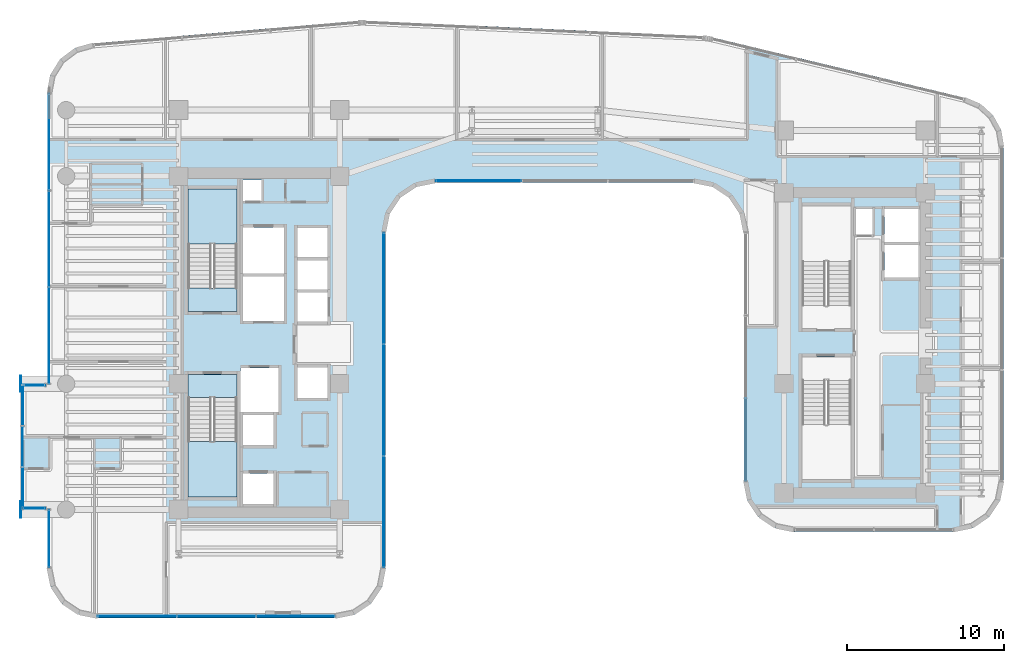
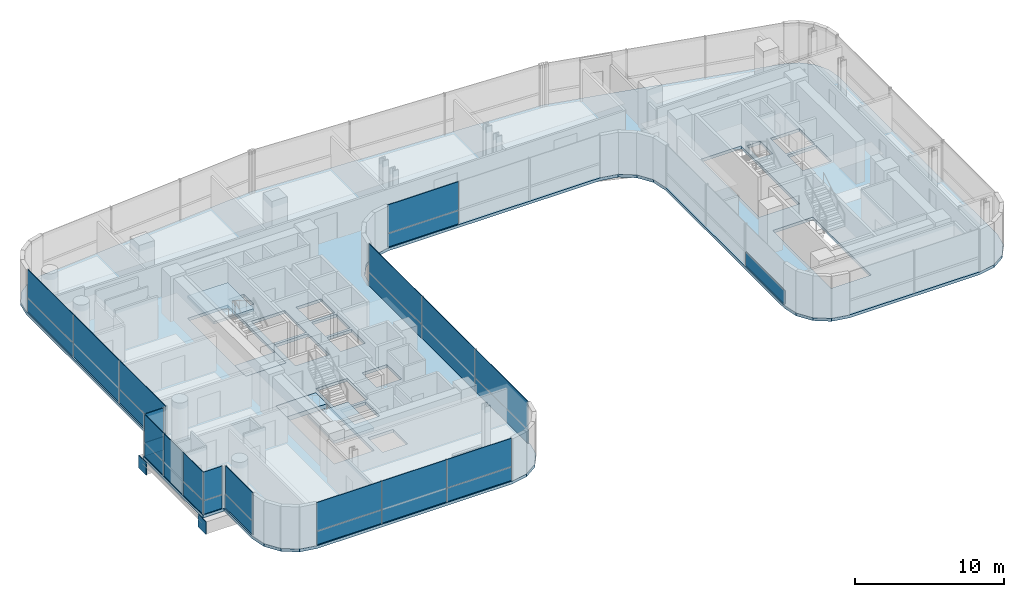
# One storey, part 26 of 37: 31 plates, 5 slabs, 11 elements without a shape of their own.
"""IFC4 building model written with IfcOpenShell, lengths in metres."""

import ifcopenshell
import ifcopenshell.guid

model = None  # the IFC model being written
_history = None  # IfcOwnerHistory: only IFC2X3 demands one
_inside = {}  # id of a spatial element -> (the spatial element, [elements in it])
_under = {}  # id of a project, library or spatial element -> (it, [spatial elements below it])
_declared = {}  # id of a project -> (the project, [libraries it declares])
_typed = {}  # id of a type object -> (the type object, [elements of that type])
_made_of = {}  # id of a material, layer set ... -> (it, [elements and type objects made of it])


def new_model(schema):
    """Start an empty IFC model of exactly this schema.

    Asked for "IFC4X3", IfcOpenShell would pick the latest addendum, in which some entities
    have other attributes; the version numbers below select the first issue.
    IFC2X3 requires an IfcOwnerHistory on every rooted entity: one is made here for all.
    """
    global model, _history
    if schema == "IFC4X3":
        model = ifcopenshell.file(schema_version=(4, 3, 0, 0))
    else:
        model = ifcopenshell.file(schema=schema)
    _inside.clear()
    _under.clear()
    _declared.clear()
    _typed.clear()
    _made_of.clear()
    _history = None
    if model.schema == "IFC2X3":
        org = make("IfcOrganization", Name="unknown")
        user = make(
            "IfcPersonAndOrganization",
            ThePerson=make("IfcPerson", FamilyName="unknown"),
            TheOrganization=org,
        )
        app = make(
            "IfcApplication",
            ApplicationDeveloper=org,
            Version="unknown",
            ApplicationFullName="unknown",
            ApplicationIdentifier="unknown",
        )
        _history = make(
            "IfcOwnerHistory",
            OwningUser=user,
            OwningApplication=app,
            ChangeAction="ADDED",
            CreationDate=0,
        )
    return model


def make(cls, **values):
    """One entity of the class cls with the attributes given. An attribute that is None is left unset."""
    return model.create_entity(
        cls, **{name: value for name, value in values.items() if value is not None}
    )


def rooted(cls, **values):
    """An entity with a GlobalId (a new one), such as an element, a storey or a relation."""
    return make(cls, GlobalId=ifcopenshell.guid.new(), OwnerHistory=_history, **values)


def si_unit(unit_type, name, prefix=None):
    """IfcSIUnit, for example si_unit("LENGTHUNIT", "METRE", prefix="MILLI")."""
    return make("IfcSIUnit", UnitType=unit_type, Prefix=prefix, Name=name)


def assignment(units):
    """IfcUnitAssignment: the units of a project."""
    return None if units is None else make("IfcUnitAssignment", Units=units)


def point(xyz):
    """IfcCartesianPoint."""
    return None if xyz is None else make("IfcCartesianPoint", Coordinates=xyz)


def direction(xyz):
    """IfcDirection."""
    return None if xyz is None else make("IfcDirection", DirectionRatios=xyz)


def frame(location, z_axis=None, x_axis=None):
    """IfcAxis2Placement3D, a coordinate frame: its origin and axes. An axis left out is left unset."""
    return make(
        "IfcAxis2Placement3D",
        Location=point(location),
        Axis=direction(z_axis),
        RefDirection=direction(x_axis),
    )


def frame_2d(location, x_axis=None):
    """IfcAxis2Placement2D, a coordinate frame in the plane: its origin and x axis."""
    return make(
        "IfcAxis2Placement2D", Location=point(location), RefDirection=direction(x_axis)
    )


def origin():
    """The frame at (0, 0, 0) with its axes left unset."""
    return frame((0.0, 0.0, 0.0))


def origin_2d():
    """The frame at (0, 0) in the plane with its x axis left unset."""
    return frame_2d((0.0, 0.0))


def place(relative_to, where):
    """IfcLocalPlacement: puts the frame where relative to a parent placement (None: the world)."""
    return make(
        "IfcLocalPlacement", PlacementRelTo=relative_to, RelativePlacement=where
    )


def context(
    kind, dimensions, precision=None, world=None, true_north=None, identifier=None
):
    """IfcGeometricRepresentationContext, for example the 3D "Model" context."""
    return make(
        "IfcGeometricRepresentationContext",
        ContextIdentifier=identifier,
        ContextType=kind,
        CoordinateSpaceDimension=dimensions,
        Precision=precision,
        WorldCoordinateSystem=world,
        TrueNorth=true_north,
    )


def subcontext(parent, identifier, kind, view, scale=None):
    """IfcGeometricRepresentationSubContext, for example "Body" below "Model"."""
    return make(
        "IfcGeometricRepresentationSubContext",
        ContextIdentifier=identifier,
        ContextType=kind,
        ParentContext=parent,
        TargetScale=scale,
        TargetView=view,
    )


def project(units=None, contexts=None):
    """IfcProject with its units and contexts."""
    return rooted(
        "IfcProject",
        Name="project",
        RepresentationContexts=contexts,
        UnitsInContext=assignment(units),
    )


def spatial(cls, under=None, at=None, **own):
    """A site, building, storey or space (cls), placed at a placement, below another one or the project."""
    s = rooted(cls, ObjectPlacement=at, **own)
    if under is not None:
        _under.setdefault(under.id(), (under, []))[1].append(s)
    return s


def polyline(points):
    """IfcPolyline through the points."""
    return make("IfcPolyline", Points=[point(p) for p in points])


def profile(cls, at=None, kind="AREA", **sizes):
    """A parametric profile (cls). Its sizes go by their IFC names, for example OverallWidth=200.0."""
    return make(cls, ProfileType=kind, Position=at, **sizes)


def rectangle(**sizes):
    """IfcRectangleProfileDef."""
    return profile("IfcRectangleProfileDef", **sizes)


def outline(outer, holes=None, kind="AREA"):
    """IfcArbitraryClosedProfileDef: a profile drawn as a closed curve; with holes, ...WithVoids."""
    if holes is None:
        return make("IfcArbitraryClosedProfileDef", ProfileType=kind, OuterCurve=outer)
    return make(
        "IfcArbitraryProfileDefWithVoids",
        ProfileType=kind,
        OuterCurve=outer,
        InnerCurves=holes,
    )


def extrude(swept, where, along, depth):
    """IfcExtrudedAreaSolid: the profile swept, set in the frame where, extruded along a direction by depth."""
    return make(
        "IfcExtrudedAreaSolid",
        SweptArea=swept,
        Position=where,
        ExtrudedDirection=direction(along),
        Depth=depth,
    )


def shape(context_of_items, identifier, shape_type, items):
    """IfcShapeRepresentation: the items that make up one representation, for example the "Body"."""
    return make(
        "IfcShapeRepresentation",
        ContextOfItems=context_of_items,
        RepresentationIdentifier=identifier,
        RepresentationType=shape_type,
        Items=items,
    )


def source(mapping_origin, context_of_items, identifier, shape_type, items):
    """IfcRepresentationMap: a shape defined once, which mapped items show again and again."""
    return make(
        "IfcRepresentationMap",
        MappingOrigin=mapping_origin,
        MappedRepresentation=shape(context_of_items, identifier, shape_type, items),
    )


def transform(
    local_origin,
    x_axis=None,
    y_axis=None,
    z_axis=None,
    scale=None,
    scale2=None,
    scale3=None,
    uniform=True,
):
    """IfcCartesianTransformationOperator3D, or its non-uniform kind. x_axis, y_axis, z_axis: its Axis1, 2, 3."""
    if uniform:
        return make(
            "IfcCartesianTransformationOperator3D",
            Axis1=direction(x_axis),
            Axis2=direction(y_axis),
            LocalOrigin=point(local_origin),
            Scale=scale,
            Axis3=direction(z_axis),
        )
    return make(
        "IfcCartesianTransformationOperator3DnonUniform",
        Axis1=direction(x_axis),
        Axis2=direction(y_axis),
        LocalOrigin=point(local_origin),
        Scale=scale,
        Axis3=direction(z_axis),
        Scale2=scale2,
        Scale3=scale3,
    )


def mapped(mapping_source, mapping_target):
    """IfcMappedItem: shows the shape of a source again, moved by a transform."""
    return make(
        "IfcMappedItem", MappingSource=mapping_source, MappingTarget=mapping_target
    )


def material(Name=None, Category=None):
    """IfcMaterial."""
    return make("IfcMaterial", Name=Name, Category=Category)


def layer(
    of_material, thickness, ventilated=None, Name=None, Category=None, Priority=None
):
    """IfcMaterialLayer: one layer of a wall or slab, of a material (None: an air gap)."""
    return make(
        "IfcMaterialLayer",
        Material=of_material,
        LayerThickness=thickness,
        IsVentilated=ventilated,
        Name=Name,
        Category=Category,
        Priority=Priority,
    )


def layer_set(layers, Name=None):
    """IfcMaterialLayerSet."""
    return make("IfcMaterialLayerSet", MaterialLayers=layers, LayerSetName=Name)


def made_of(thing, what):
    """Note that an element or type object is made of a material, layer set ...; save() writes the relation."""
    if what is not None:
        _made_of.setdefault(what.id(), (what, []))[1].append(thing)
    return thing


def type_object(cls, material=None, **own):
    """A type object (cls), such as IfcWallType, which elements share."""
    return made_of(rooted(cls, **own), material)


def element(
    cls,
    number,
    at=None,
    inside=None,
    cuts=None,
    type_object=None,
    material=None,
    context=None,
    identifier="Body",
    shape_type=None,
    held_by="IfcProductDefinitionShape",
    body=None,
    shapes=None,
    **own,
):
    """One element of the class cls, such as IfcWall. Its Tag is "e" and its number.

    at: its placement. inside: the storey or other place that contains it. cuts: it is an
    opening in that element (IfcRelVoidsElement). A single representation is given by context,
    identifier, shape_type and body (its items); several are given by shapes. held_by: the class
    of the entity that holds the representations. save() writes the other relations.
    """
    e = rooted(cls, Tag="e%d" % number, ObjectPlacement=at, **own)
    if body is not None:
        shapes = [shape(context, identifier, shape_type, body)]
    if shapes is not None:
        e.Representation = make(held_by, Representations=shapes)
    if inside is not None:
        _inside.setdefault(inside.id(), (inside, []))[1].append(e)
    if cuts is not None:
        rooted(
            "IfcRelVoidsElement", RelatingBuildingElement=cuts, RelatedOpeningElement=e
        )
    if type_object is not None:
        _typed.setdefault(type_object.id(), (type_object, []))[1].append(e)
    return made_of(e, material)


def aggregate(whole, parts):
    """IfcRelAggregates: a whole, such as a stair, and the parts it consists of."""
    return rooted("IfcRelAggregates", RelatingObject=whole, RelatedObjects=parts)


def save(model, path):
    """Write the relations noted so far, then the file.

    IfcRelAggregates (storeys below a building ...), IfcRelContainedInSpatialStructure (elements
    in a storey), IfcRelDefinesByType, IfcRelAssociatesMaterial and IfcRelDeclares: one each for
    every whole, place, type object, material and project.
    """
    for whole, parts in _under.values():
        aggregate(whole, parts)
    for where, things in _inside.values():
        rooted(
            "IfcRelContainedInSpatialStructure",
            RelatedElements=things,
            RelatingStructure=where,
        )
    for kind, things in _typed.values():
        rooted("IfcRelDefinesByType", RelatedObjects=things, RelatingType=kind)
    for what, things in _made_of.values():
        rooted("IfcRelAssociatesMaterial", RelatedObjects=things, RelatingMaterial=what)
    for by, libraries in _declared.values():
        rooted("IfcRelDeclares", RelatingContext=by, RelatedDefinitions=libraries)
    model.write(path)


model = new_model("IFC4")

# Units and contexts
model_context = context("Model", 3, precision=1e-05, world=origin(), true_north=direction((0.0, 1.0)))
body_context = subcontext(model_context, "Body", "Model", "MODEL_VIEW")
ifc_project = project(units=[si_unit("LENGTHUNIT", "METRE"), si_unit("AREAUNIT", "SQUARE_METRE"), si_unit("VOLUMEUNIT", "CUBIC_METRE"), si_unit("PLANEANGLEUNIT", "RADIAN"), si_unit("MASSUNIT", "GRAM", prefix="KILO")], contexts=[model_context])

# Site, building, storey
site_placement = place(None, origin())
site = spatial("IfcSite", under=ifc_project, at=site_placement, CompositionType="ELEMENT")
building_placement = place(site_placement, origin())
building = spatial("IfcBuilding", under=site, at=building_placement, Name="Valdorenza Pilgrim Sanctuary Tower", CompositionType="ELEMENT")
storey_placement = place(building_placement, frame((0.0, 0.0, 135.300048828125)))
storey = spatial("IfcBuildingStorey", under=building, at=storey_placement, Name="L34", CompositionType="ELEMENT", Elevation=135.300048828125)

# Slab
ifc_material_1 = material(Name="Concrete C40/50", Category="concrete")
ifc_layer_1 = layer(ifc_material_1, 0.239990234375, Name="Concrete C40/50")
ifc_layer_set_1 = layer_set([ifc_layer_1], Name="Concrete C40/50")
slab_type_1 = type_object("IfcSlabType", Name="SLAB-FLR-220", PredefinedType="FLOOR", material=ifc_layer_set_1)
slab_1_placement = place(storey_placement, frame((0.0, 0.0, -0.239990234375)))
element("IfcSlab", 1, at=slab_1_placement, inside=storey, type_object=slab_type_1, Name="L34 Structural Floor Slab 1", PredefinedType="FLOOR", context=body_context, shape_type="SweptSolid", body=[
    extrude(outline(polyline([(-32.64990234375, -2.60009765625), (-31.0, -2.60009765625), (-31.0, 15.860595703125), (-30.78173828125, 17.022216796875), (-30.156494140625, 18.025390625), (-29.2099609375, 18.733154296875), (-28.071044921875, 19.049072265625), (-11.2080078125, 20.482421875), (-11.0, 20.4931640625), (-10.79150390625, 20.490478515625), (10.6962890625, 19.513916015625), (10.847412109375, 19.50341796875), (10.998046875, 19.485595703125), (11.147705078125, 19.4609375), (11.2958984375, 19.42919921875), (27.344970703125, 15.587646484375), (28.323974609375, 15.17138671875), (29.1123046875, 14.45751953125), (29.623291015625, 13.5244140625), (29.800048828125, 12.4755859375), (29.800048828125, -8.800048828125), (29.556396484375, -10.024658203125), (28.86279296875, -11.062744140625), (27.82470703125, -11.75634765625), (26.60009765625, -12.0), (16.5, -12.0), (15.275390625, -11.75634765625), (14.2373046875, -11.062744140625), (13.543701171875, -10.024658203125), (13.300048828125, -8.800048828125), (13.300048828125, 7.0), (13.056396484375, 8.224609375), (12.36279296875, 9.2626953125), (11.32470703125, 9.956298828125), (10.10009765625, 10.199951171875), (-6.300048828125, 10.199951171875), (-7.524658203125, 9.956298828125), (-8.562744140625, 9.2626953125), (-9.25634765625, 8.224609375), (-9.5, 7.0), (-9.5, -14.300048828125), (-9.74365234375, -15.524658203125), (-10.437255859375, -16.562744140625), (-11.475341796875, -17.25634765625), (-12.699951171875, -17.5), (-27.800048828125, -17.5), (-29.024658203125, -17.25634765625), (-30.062744140625, -16.562744140625), (-30.75634765625, -15.524658203125), (-31.0, -14.300048828125), (-31.0, -10.60009765625), (-32.64990234375, -10.60009765625), (-32.64990234375, -2.60009765625)]), holes=[polyline([(-16.60009765625, -10.25), (-16.60009765625, -8.300048828125), (-18.550048828125, -8.300048828125), (-18.550048828125, -10.25), (-16.60009765625, -10.25)]), polyline([(-22.050048828125, -9.800048828125), (-18.93994140625, -9.800048828125), (-18.93994140625, -3.485107421875), (-18.93994140625, -2.0), (-22.050048828125, -2.0), (-22.050048828125, -3.485107421875), (-22.050048828125, -9.800048828125)]), polyline([(-16.60009765625, -6.5), (-16.60009765625, -4.60009765625), (-18.550048828125, -4.60009765625), (-18.550048828125, -6.5), (-16.60009765625, -6.5)]), polyline([(-18.719970703125, -4.39990234375), (-16.300048828125, -4.39990234375), (-16.300048828125, -1.60009765625), (-18.719970703125, -1.60009765625), (-18.719970703125, -4.39990234375)]), polyline([(-13.179931640625, 1.35009765625), (-13.179931640625, 3.199951171875), (-15.10009765625, 3.199951171875), (-15.10009765625, 1.35009765625), (-13.179931640625, 1.35009765625)]), polyline([(-22.050048828125, 2.0), (-18.93994140625, 2.0), (-18.93994140625, 3.485107421875), (-18.93994140625, 9.800048828125), (-22.050048828125, 9.800048828125), (-22.050048828125, 3.485107421875), (-22.050048828125, 2.0)]), polyline([(-15.949951171875, 1.39990234375), (-15.949951171875, 4.22509765625), (-18.550048828125, 4.22509765625), (-18.550048828125, 1.39990234375), (-15.949951171875, 1.39990234375)]), polyline([(-18.550048828125, 4.425048828125), (-15.949951171875, 4.425048828125), (-15.949951171875, 7.35009765625), (-18.550048828125, 7.35009765625), (-18.550048828125, 4.425048828125)]), polyline([(-17.360107421875, 9.030029296875), (-17.360107421875, 10.35009765625), (-18.570068359375, 10.35009765625), (-18.570068359375, 9.030029296875), (-17.360107421875, 9.030029296875)]), polyline([(17.0, -8.699951171875), (20.110107421875, -8.699951171875), (20.110107421875, -2.385009765625), (20.110107421875, -0.89990234375), (17.0, -0.89990234375), (17.0, -2.385009765625), (17.0, -8.699951171875)]), polyline([(-13.179931640625, -3.5), (-13.179931640625, -1.550048828125), (-15.10009765625, -1.550048828125), (-15.10009765625, -3.5), (-13.179931640625, -3.5)]), polyline([(17.0, 0.89990234375), (20.110107421875, 0.89990234375), (20.110107421875, 2.385009765625), (20.110107421875, 8.699951171875), (17.0, 8.699951171875), (17.0, 2.385009765625), (17.0, 0.89990234375)]), polyline([(-13.179931640625, 3.39990234375), (-13.179931640625, 5.25), (-15.10009765625, 5.25), (-15.10009765625, 3.39990234375), (-13.179931640625, 3.39990234375)]), polyline([(22.25, 4.14990234375), (24.47998046875, 4.14990234375), (24.47998046875, 6.22509765625), (22.25, 6.22509765625), (22.25, 4.14990234375)]), polyline([(-13.179931640625, 5.449951171875), (-13.179931640625, 7.300048828125), (-15.10009765625, 7.300048828125), (-15.10009765625, 5.449951171875), (-13.179931640625, 5.449951171875)]), polyline([(22.25, 6.425048828125), (24.47998046875, 6.425048828125), (24.47998046875, 8.5), (22.25, 8.5), (22.25, 6.425048828125)]), polyline([(20.409912109375, 6.860107421875), (21.489990234375, 6.860107421875), (21.489990234375, 8.52001953125), (20.409912109375, 8.52001953125), (20.409912109375, 6.860107421875)])]), origin(), (0.0, 0.0, 1.0), 0.239990234375),
])

# Stair, slab
stair_type = type_object("IfcStairType", Name="STR-DOG-CORE", PredefinedType="HALF_TURN_STAIR", material=ifc_material_1)
stair_1_placement = place(storey_placement, origin())
stair_1 = element("IfcStair", 2, at=stair_1_placement, inside=storey, type_object=stair_type, Name="L34 ST-A1", PredefinedType="HALF_TURN_STAIR")
ifc_layer_2 = layer(ifc_material_1, 0.199951171875, Name="Concrete C40/50")
ifc_layer_set_2 = layer_set([ifc_layer_2], Name="Concrete C40/50")
slab_type_2 = type_object("IfcSlabType", Name="SLAB-STL-200", PredefinedType="LANDING", material=ifc_layer_set_2)
slab_2_placement = place(storey_placement, frame((0.0, 0.0, 1.64990234375)))
slab_2 = element("IfcSlab", 3, at=slab_2_placement, type_object=slab_type_2, Name="ST-A1 landing 1", PredefinedType="LANDING", context=body_context, shape_type="SweptSolid", body=[
    extrude(outline(polyline([(-18.93994140625, 6.280029296875), (-18.93994140625, 9.800048828125), (-22.050048828125, 9.800048828125), (-22.050048828125, 6.280029296875), (-18.93994140625, 6.280029296875)])), origin(), (0.0, 0.0, 1.0), 0.199951171875),
])
aggregate(stair_1, [slab_2])

stair_2_placement = place(storey_placement, origin())
stair_2 = element("IfcStair", 4, at=stair_2_placement, inside=storey, type_object=stair_type, Name="L34 ST-A2", PredefinedType="HALF_TURN_STAIR")
slab_3_placement = place(storey_placement, frame((0.0, 0.0, 1.64990234375)))
slab_3 = element("IfcSlab", 5, at=slab_3_placement, type_object=slab_type_2, Name="ST-A2 landing 1", PredefinedType="LANDING", context=body_context, shape_type="SweptSolid", body=[
    extrude(outline(polyline([(-22.050048828125, -6.280029296875), (-22.050048828125, -9.800048828125), (-18.93994140625, -9.800048828125), (-18.93994140625, -6.280029296875), (-22.050048828125, -6.280029296875)])), origin(), (0.0, 0.0, 1.0), 0.199951171875),
])
aggregate(stair_2, [slab_3])

# Slabs
ifc_material_2 = material(Name="Concrete C50/60", Category="concrete")
ifc_layer_3 = layer(ifc_material_2, 0.39990234375, Name="Concrete C50/60")
ifc_layer_set_3 = layer_set([ifc_layer_3], Name="Concrete C50/60")
slab_type_3 = type_object("IfcSlabType", Name="SLAB-TRF-400", PredefinedType="FLOOR", material=ifc_layer_set_3)
slab_4_placement = place(storey_placement, frame((0.0, 0.0, -0.360107421875)))
element("IfcSlab", 6, at=slab_4_placement, inside=storey, type_object=slab_type_3, Name="L34 ST-A1 Structural Stair Landing Bearing Slab", PredefinedType="FLOOR", context=body_context, shape_type="SweptSolid", body=[
    extrude(outline(polyline([(-22.050048828125, 2.0), (-18.93994140625, 2.0), (-18.93994140625, 3.485107421875), (-22.050048828125, 3.485107421875), (-22.050048828125, 2.0)])), origin(), (0.0, 0.0, 1.0), 0.360107421875),
])
slab_5_placement = place(storey_placement, frame((0.0, 0.0, -0.360107421875)))
element("IfcSlab", 7, at=slab_5_placement, inside=storey, type_object=slab_type_3, Name="L34 ST-A2 Structural Stair Landing Bearing Slab", PredefinedType="FLOOR", context=body_context, shape_type="SweptSolid", body=[
    extrude(outline(polyline([(-22.050048828125, -3.485107421875), (-18.93994140625, -3.485107421875), (-18.93994140625, -2.0), (-22.050048828125, -2.0), (-22.050048828125, -3.485107421875)])), origin(), (0.0, 0.0, 1.0), 0.360107421875),
])

# Plates
ifc_material_3 = material(Name="Steel ASTM A572 Grade 42", Category="steel")
ifc_layer_4 = layer(ifc_material_3, 0.06005859375, Name="Steel ASTM A572 Grade 42")
ifc_layer_set_4 = layer_set([ifc_layer_4], Name="Steel ASTM A572 Grade 42")
plate_type_1 = type_object("IfcPlateType", Name="PLT-CAP-60", PredefinedType="SHEET", material=ifc_layer_set_4)
shared_shape_1 = source(origin(), body_context, "Body", "SweptSolid", [
    extrude(rectangle(XDim=0.06005859375, YDim=1.0400390625, at=origin_2d()), origin(), (0.0, 0.0, 1.0), 1.0400390625),
])
for number, where, z_axis, x_axis, name in (
    (8, (-32.679931640625, -2.60009765625, -1.260009765625), (0.0, 0.0, 1.0), (1.0, 0.0, 0.0), "L34 BOX-WA-L34 Cantilever Tip End Cap N"),
    (9, (-32.679931640625, -10.60009765625, -1.260009765625), (0.0, 0.0, 1.0), (1.0, 0.0, 0.0), "L34 BOX-WA-L34 Cantilever Tip End Cap S"),
):
    element("IfcPlate", number, at=place(storey_placement, frame(where, z_axis=z_axis, x_axis=x_axis)), inside=storey, type_object=plate_type_1, Name=name, PredefinedType="SHEET", context=body_context, shape_type="MappedRepresentation", body=[
        mapped(shared_shape_1, transform((0.0, 0.0, 0.0), x_axis=(1.0, 0.0, 0.0), y_axis=(0.0, 1.0, 0.0), z_axis=(0.0, 0.0, 1.0), scale=1.0)),
    ])

# Curtain wall, plates
ifc_material_4 = material(Name="Curtain-wall IGU glazing", Category="glass")
curtain_wall_type_1 = type_object("IfcCurtainWallType", Name="CW-SYS-02", PredefinedType="NOTDEFINED", material=ifc_material_4)
curtain_wall_1_placement = place(storey_placement, origin())
curtain_wall_1 = element("IfcCurtainWall", 10, at=curtain_wall_1_placement, inside=storey, type_object=curtain_wall_type_1, Name="L34 Curtain Wall CW-L34-1-36", PredefinedType="NOTDEFINED")
ifc_material_5 = material(Name="Honed travertine limestone", Category="masonry")
ifc_layer_5 = layer(ifc_material_5, 0.050048828125, Name="Honed travertine limestone")
ifc_layer_set_5 = layer_set([ifc_layer_5], Name="Honed travertine limestone")
plate_type_2 = type_object("IfcPlateType", Name="CW-SPN-TRV", PredefinedType="USERDEFINED", material=ifc_layer_set_5)
shared_shape_2 = source(origin(), body_context, "Body", "SweptSolid", [
    extrude(rectangle(XDim=5.453857421875, YDim=0.06005859375, at=origin_2d()), origin(), (0.0, 0.0, 1.0), 1.10009765625),
])
plate_1_placement = place(storey_placement, frame((-3.573974609375, 10.31005859375, 0.010009765625), z_axis=(0.0, 0.0, 1.0), x_axis=(-1.0, 0.0, 0.0)))
plate_1 = element("IfcPlate", 11, at=plate_1_placement, type_object=plate_type_2, Name="CW-L34-1-36 Travertine Spandrel 3", ObjectType="SPANDREL", PredefinedType="USERDEFINED", context=body_context, shape_type="MappedRepresentation", body=[
    mapped(shared_shape_2, transform((0.0, 0.0, 0.0), x_axis=(1.0, 0.0, 0.0), y_axis=(0.0, 1.0, 0.0), z_axis=(0.0, 0.0, 1.0), scale=1.0)),
])
ifc_material_6 = material(Name="Ceramic-fritted low-E IGU glazing", Category="glass")
ifc_layer_6 = layer(ifc_material_6, 0.035888671875, Name="Ceramic-fritted low-E IGU glazing")
ifc_layer_set_6 = layer_set([ifc_layer_6], Name="Ceramic-fritted low-E IGU glazing")
plate_type_3 = type_object("IfcPlateType", Name="CW-GLZ-IGU", PredefinedType="USERDEFINED", material=ifc_layer_set_6)
shared_shape_3 = source(origin(), body_context, "Body", "SweptSolid", [
    extrude(rectangle(XDim=5.453857421875, YDim=0.050048828125, at=origin_2d()), origin(), (0.0, 0.0, 1.0), 2.320068359375),
])
plate_2_placement = place(storey_placement, frame((-3.573974609375, 10.31005859375, 1.1298828125), z_axis=(0.0, 0.0, 1.0), x_axis=(-1.0, 0.0, 0.0)))
plate_2 = element("IfcPlate", 12, at=plate_2_placement, type_object=plate_type_3, Name="CW-L34-1-36 Facade Panel 3", ObjectType="GLAZING", PredefinedType="USERDEFINED", context=body_context, shape_type="MappedRepresentation", body=[
    mapped(shared_shape_3, transform((0.0, 0.0, 0.0), x_axis=(1.0, 0.0, 0.0), y_axis=(0.0, 1.0, 0.0), z_axis=(0.0, 0.0, 1.0), scale=1.0)),
])
aggregate(curtain_wall_1, [plate_1, plate_2])

# Curtain wall, plate
curtain_wall_2_placement = place(storey_placement, origin())
curtain_wall_2 = element("IfcCurtainWall", 13, at=curtain_wall_2_placement, inside=storey, type_object=curtain_wall_type_1, Name="L34 Curtain Wall CW-L34-BOX-WA-L34-S", PredefinedType="NOTDEFINED")
shared_shape_4 = source(origin(), body_context, "Body", "SweptSolid", [
    extrude(rectangle(XDim=1.43994140625, YDim=0.06005859375, at=origin_2d()), origin(), (0.0, 0.0, 1.0), 1.10009765625),
])
plate_3_placement = place(storey_placement, frame((-31.840087890625, -10.52001953125, 0.010009765625), z_axis=(0.0, 0.0, 1.0), x_axis=(-1.0, 0.0, 0.0)))
plate_3 = element("IfcPlate", 14, at=plate_3_placement, type_object=plate_type_2, Name="CW-L34-BOX-WA-L34-S Travertine Spandrel 1", ObjectType="SPANDREL", PredefinedType="USERDEFINED", context=body_context, shape_type="MappedRepresentation", body=[
    mapped(shared_shape_4, transform((0.0, 0.0, 0.0), x_axis=(1.0, 0.0, 0.0), y_axis=(0.0, 1.0, 0.0), z_axis=(0.0, 0.0, 1.0), scale=1.0)),
])

curtain_wall_3_placement = place(storey_placement, origin())
curtain_wall_3 = element("IfcCurtainWall", 15, at=curtain_wall_3_placement, inside=storey, type_object=curtain_wall_type_1, Name="L34 Curtain Wall CW-L34-BOX-WA-L34-N", PredefinedType="NOTDEFINED")
plate_4_placement = place(storey_placement, frame((-31.840087890625, -2.679931640625, 0.010009765625), z_axis=(0.0, 0.0, 1.0), x_axis=(1.0, 0.0, 0.0)))
plate_4 = element("IfcPlate", 16, at=plate_4_placement, type_object=plate_type_2, Name="CW-L34-BOX-WA-L34-N Travertine Spandrel 1", ObjectType="SPANDREL", PredefinedType="USERDEFINED", context=body_context, shape_type="MappedRepresentation", body=[
    mapped(shared_shape_4, transform((0.0, 0.0, 0.0), x_axis=(1.0, 0.0, 0.0), y_axis=(0.0, 1.0, 0.0), z_axis=(0.0, 0.0, 1.0), scale=1.0)),
])

# Plate
shared_shape_5 = source(origin(), body_context, "Body", "SweptSolid", [
    extrude(rectangle(XDim=1.43994140625, YDim=0.050048828125, at=origin_2d()), origin(), (0.0, 0.0, 1.0), 2.320068359375),
])
plate_5_placement = place(storey_placement, frame((-31.840087890625, -10.52001953125, 1.1298828125), z_axis=(0.0, 0.0, 1.0), x_axis=(-1.0, 0.0, 0.0)))
plate_5 = element("IfcPlate", 17, at=plate_5_placement, type_object=plate_type_3, Name="CW-L34-BOX-WA-L34-S Facade Panel 1", ObjectType="GLAZING", PredefinedType="USERDEFINED", context=body_context, shape_type="MappedRepresentation", body=[
    mapped(shared_shape_5, transform((0.0, 0.0, 0.0), x_axis=(1.0, 0.0, 0.0), y_axis=(0.0, 1.0, 0.0), z_axis=(0.0, 0.0, 1.0), scale=1.0)),
])

aggregate(curtain_wall_2, [plate_3, plate_5])

plate_6_placement = place(storey_placement, frame((-31.840087890625, -2.679931640625, 1.1298828125), z_axis=(0.0, 0.0, 1.0), x_axis=(1.0, 0.0, 0.0)))
plate_6 = element("IfcPlate", 18, at=plate_6_placement, type_object=plate_type_3, Name="CW-L34-BOX-WA-L34-N Facade Panel 1", ObjectType="GLAZING", PredefinedType="USERDEFINED", context=body_context, shape_type="MappedRepresentation", body=[
    mapped(shared_shape_5, transform((0.0, 0.0, 0.0), x_axis=(1.0, 0.0, 0.0), y_axis=(0.0, 1.0, 0.0), z_axis=(0.0, 0.0, 1.0), scale=1.0)),
])

aggregate(curtain_wall_3, [plate_4, plate_6])

# Curtain wall, plates
curtain_wall_4_placement = place(storey_placement, origin())
curtain_wall_4 = element("IfcCurtainWall", 19, at=curtain_wall_4_placement, inside=storey, type_object=curtain_wall_type_1, Name="L34 Curtain Wall CW-L34-BOX-WA-L34-F", PredefinedType="NOTDEFINED")
shared_shape_6 = source(origin(), body_context, "Body", "SweptSolid", [
    extrude(rectangle(XDim=2.59326171875, YDim=0.06005859375, at=origin_2d()), origin(), (0.0, 0.0, 1.0), 1.10009765625),
])
plate_7_placement = place(storey_placement, frame((-32.570068359375, -9.21337890625, 0.010009765625), z_axis=(0.0, 0.0, 1.0), x_axis=(0.0, 1.0, 0.0)))
plate_7 = element("IfcPlate", 20, at=plate_7_placement, type_object=plate_type_2, Name="CW-L34-BOX-WA-L34-F Travertine Spandrel 1", ObjectType="SPANDREL", PredefinedType="USERDEFINED", context=body_context, shape_type="MappedRepresentation", body=[
    mapped(shared_shape_6, transform((0.0, 0.0, 0.0), x_axis=(1.0, 0.0, 0.0), y_axis=(0.0, 1.0, 0.0), z_axis=(0.0, 0.0, 1.0), scale=1.0)),
])
plate_8_placement = place(storey_placement, frame((-32.570068359375, -3.98681640625, 0.010009765625), z_axis=(0.0, 0.0, 1.0), x_axis=(0.0, 1.0, 0.0)))
plate_8 = element("IfcPlate", 21, at=plate_8_placement, type_object=plate_type_2, Name="CW-L34-BOX-WA-L34-F Travertine Spandrel 3", ObjectType="SPANDREL", PredefinedType="USERDEFINED", context=body_context, shape_type="MappedRepresentation", body=[
    mapped(shared_shape_6, transform((0.0, 0.0, 0.0), x_axis=(1.0, 0.0, 0.0), y_axis=(0.0, 1.0, 0.0), z_axis=(0.0, 0.0, 1.0), scale=1.0)),
])
shared_shape_7 = source(origin(), body_context, "Body", "SweptSolid", [
    extrude(rectangle(XDim=2.59326171875, YDim=0.050048828125, at=origin_2d()), origin(), (0.0, 0.0, 1.0), 2.320068359375),
])
plate_9_placement = place(storey_placement, frame((-32.570068359375, -9.21337890625, 1.1298828125), z_axis=(0.0, 0.0, 1.0), x_axis=(0.0, 1.0, 0.0)))
plate_9 = element("IfcPlate", 22, at=plate_9_placement, type_object=plate_type_3, Name="CW-L34-BOX-WA-L34-F Facade Panel 1", ObjectType="GLAZING", PredefinedType="USERDEFINED", context=body_context, shape_type="MappedRepresentation", body=[
    mapped(shared_shape_7, transform((0.0, 0.0, 0.0), x_axis=(1.0, 0.0, 0.0), y_axis=(0.0, 1.0, 0.0), z_axis=(0.0, 0.0, 1.0), scale=1.0)),
])
plate_10_placement = place(storey_placement, frame((-32.570068359375, -3.98681640625, 1.1298828125), z_axis=(0.0, 0.0, 1.0), x_axis=(0.0, 1.0, 0.0)))
plate_10 = element("IfcPlate", 23, at=plate_10_placement, type_object=plate_type_3, Name="CW-L34-BOX-WA-L34-F Facade Panel 3", ObjectType="GLAZING", PredefinedType="USERDEFINED", context=body_context, shape_type="MappedRepresentation", body=[
    mapped(shared_shape_7, transform((0.0, 0.0, 0.0), x_axis=(1.0, 0.0, 0.0), y_axis=(0.0, 1.0, 0.0), z_axis=(0.0, 0.0, 1.0), scale=1.0)),
])
shared_shape_8 = source(origin(), body_context, "Body", "SweptSolid", [
    extrude(rectangle(XDim=2.59326171875, YDim=0.050048828125, at=origin_2d()), origin(), (0.0, 0.0, 1.0), 3.43994140625),
])
plate_11_placement = place(storey_placement, frame((-32.570068359375, -6.60009765625, 0.010009765625), z_axis=(0.0, 0.0, 1.0), x_axis=(0.0, 1.0, 0.0)))
plate_11 = element("IfcPlate", 24, at=plate_11_placement, type_object=plate_type_3, Name="CW-L34-BOX-WA-L34-F Full-Height Facade Panel 2", ObjectType="GLAZING", PredefinedType="USERDEFINED", context=body_context, shape_type="MappedRepresentation", body=[
    mapped(shared_shape_8, transform((0.0, 0.0, 0.0), x_axis=(1.0, 0.0, 0.0), y_axis=(0.0, 1.0, 0.0), z_axis=(0.0, 0.0, 1.0), scale=1.0)),
])
aggregate(curtain_wall_4, [plate_7, plate_9, plate_11, plate_8, plate_10])

# Curtain wall, plate
curtain_wall_type_2 = type_object("IfcCurtainWallType", Name="CW-SYS-03", PredefinedType="NOTDEFINED", material=ifc_material_4)
curtain_wall_5_placement = place(storey_placement, origin())
curtain_wall_5 = element("IfcCurtainWall", 25, at=curtain_wall_5_placement, inside=storey, type_object=curtain_wall_type_2, Name="L34 Curtain Wall CW-L34-1-31", PredefinedType="NOTDEFINED")
shared_shape_9 = source(origin(), body_context, "Body", "SweptSolid", [
    extrude(rectangle(XDim=5.24658203125, YDim=0.06005859375, at=origin_2d()), origin(), (0.0, 0.0, 1.0), 1.10009765625),
])
plate_12_placement = place(storey_placement, frame((13.409912109375, -6.156005859375, 0.010009765625), z_axis=(0.0, 0.0, 1.0), x_axis=(0.0, 1.0, 0.0)))
plate_12 = element("IfcPlate", 26, at=plate_12_placement, type_object=plate_type_2, Name="CW-L34-1-31 Travertine Spandrel 1", ObjectType="SPANDREL", PredefinedType="USERDEFINED", context=body_context, shape_type="MappedRepresentation", body=[
    mapped(shared_shape_9, transform((0.0, 0.0, 0.0), x_axis=(1.0, 0.0, 0.0), y_axis=(0.0, 1.0, 0.0), z_axis=(0.0, 0.0, 1.0), scale=1.0)),
])
aggregate(curtain_wall_5, [plate_12])

# Curtain wall, plates
curtain_wall_6_placement = place(storey_placement, origin())
curtain_wall_6 = element("IfcCurtainWall", 27, at=curtain_wall_6_placement, inside=storey, type_object=curtain_wall_type_1, Name="L34 Curtain Wall CW-L34-1-41", PredefinedType="NOTDEFINED")
shared_shape_10 = source(origin(), body_context, "Body", "SweptSolid", [
    extrude(rectangle(XDim=7.080078125, YDim=0.06005859375, at=origin_2d()), origin(), (0.0, 0.0, 1.0), 1.10009765625),
])
plate_13_placement = place(storey_placement, frame((-9.610107421875, 3.460693359375, 0.010009765625), z_axis=(0.0, 0.0, 1.0), x_axis=(0.0, -1.0, 0.0)))
plate_13 = element("IfcPlate", 28, at=plate_13_placement, type_object=plate_type_2, Name="CW-L34-1-41 Travertine Spandrel 1", ObjectType="SPANDREL", PredefinedType="USERDEFINED", context=body_context, shape_type="MappedRepresentation", body=[
    mapped(shared_shape_10, transform((0.0, 0.0, 0.0), x_axis=(1.0, 0.0, 0.0), y_axis=(0.0, 1.0, 0.0), z_axis=(0.0, 0.0, 1.0), scale=1.0)),
])
plate_14_placement = place(storey_placement, frame((-9.610107421875, -10.7392578125, 0.010009765625), z_axis=(0.0, 0.0, 1.0), x_axis=(0.0, -1.0, 0.0)))
plate_14 = element("IfcPlate", 29, at=plate_14_placement, type_object=plate_type_2, Name="CW-L34-1-41 Travertine Spandrel 3", ObjectType="SPANDREL", PredefinedType="USERDEFINED", context=body_context, shape_type="MappedRepresentation", body=[
    mapped(shared_shape_10, transform((0.0, 0.0, 0.0), x_axis=(1.0, 0.0, 0.0), y_axis=(0.0, 1.0, 0.0), z_axis=(0.0, 0.0, 1.0), scale=1.0)),
])
shared_shape_11 = source(origin(), body_context, "Body", "SweptSolid", [
    extrude(rectangle(XDim=7.080078125, YDim=0.050048828125, at=origin_2d()), origin(), (0.0, 0.0, 1.0), 2.320068359375),
])
plate_15_placement = place(storey_placement, frame((-9.610107421875, 3.460693359375, 1.1298828125), z_axis=(0.0, 0.0, 1.0), x_axis=(0.0, -1.0, 0.0)))
plate_15 = element("IfcPlate", 30, at=plate_15_placement, type_object=plate_type_3, Name="CW-L34-1-41 Facade Panel 1", ObjectType="GLAZING", PredefinedType="USERDEFINED", context=body_context, shape_type="MappedRepresentation", body=[
    mapped(shared_shape_11, transform((0.0, 0.0, 0.0), x_axis=(1.0, 0.0, 0.0), y_axis=(0.0, 1.0, 0.0), z_axis=(0.0, 0.0, 1.0), scale=1.0)),
])
plate_16_placement = place(storey_placement, frame((-9.610107421875, -10.7392578125, 1.1298828125), z_axis=(0.0, 0.0, 1.0), x_axis=(0.0, -1.0, 0.0)))
plate_16 = element("IfcPlate", 31, at=plate_16_placement, type_object=plate_type_3, Name="CW-L34-1-41 Facade Panel 3", ObjectType="GLAZING", PredefinedType="USERDEFINED", context=body_context, shape_type="MappedRepresentation", body=[
    mapped(shared_shape_11, transform((0.0, 0.0, 0.0), x_axis=(1.0, 0.0, 0.0), y_axis=(0.0, 1.0, 0.0), z_axis=(0.0, 0.0, 1.0), scale=1.0)),
])
shared_shape_12 = source(origin(), body_context, "Body", "SweptSolid", [
    extrude(rectangle(XDim=7.080078125, YDim=0.050048828125, at=origin_2d()), origin(), (0.0, 0.0, 1.0), 3.43994140625),
])
plate_17_placement = place(storey_placement, frame((-9.610107421875, -3.63916015625, 0.010009765625), z_axis=(0.0, 0.0, 1.0), x_axis=(0.0, -1.0, 0.0)))
plate_17 = element("IfcPlate", 32, at=plate_17_placement, type_object=plate_type_3, Name="CW-L34-1-41 Full-Height Facade Panel 2", ObjectType="GLAZING", PredefinedType="USERDEFINED", context=body_context, shape_type="MappedRepresentation", body=[
    mapped(shared_shape_12, transform((0.0, 0.0, 0.0), x_axis=(1.0, 0.0, 0.0), y_axis=(0.0, 1.0, 0.0), z_axis=(0.0, 0.0, 1.0), scale=1.0)),
])
aggregate(curtain_wall_6, [plate_13, plate_15, plate_17, plate_14, plate_16])

curtain_wall_7_placement = place(storey_placement, origin())
curtain_wall_7 = element("IfcCurtainWall", 33, at=curtain_wall_7_placement, inside=storey, type_object=curtain_wall_type_1, Name="L34 Curtain Wall CW-L34-1-46", PredefinedType="NOTDEFINED")
shared_shape_13 = source(origin(), body_context, "Body", "SweptSolid", [
    extrude(rectangle(XDim=5.006103515625, YDim=0.06005859375, at=origin_2d()), origin(), (0.0, 0.0, 1.0), 1.10009765625),
])
plate_18_placement = place(storey_placement, frame((-15.223876953125, -17.389892578125, 0.010009765625), z_axis=(0.0, 0.0, 1.0), x_axis=(-1.0, 0.0, 0.0)))
plate_18 = element("IfcPlate", 34, at=plate_18_placement, type_object=plate_type_2, Name="CW-L34-1-46 Travertine Spandrel 1", ObjectType="SPANDREL", PredefinedType="USERDEFINED", context=body_context, shape_type="MappedRepresentation", body=[
    mapped(shared_shape_13, transform((0.0, 0.0, 0.0), x_axis=(1.0, 0.0, 0.0), y_axis=(0.0, 1.0, 0.0), z_axis=(0.0, 0.0, 1.0), scale=1.0)),
])
plate_19_placement = place(storey_placement, frame((-25.276123046875, -17.389892578125, 0.010009765625), z_axis=(0.0, 0.0, 1.0), x_axis=(-1.0, 0.0, 0.0)))
plate_19 = element("IfcPlate", 35, at=plate_19_placement, type_object=plate_type_2, Name="CW-L34-1-46 Travertine Spandrel 3", ObjectType="SPANDREL", PredefinedType="USERDEFINED", context=body_context, shape_type="MappedRepresentation", body=[
    mapped(shared_shape_13, transform((0.0, 0.0, 0.0), x_axis=(1.0, 0.0, 0.0), y_axis=(0.0, 1.0, 0.0), z_axis=(0.0, 0.0, 1.0), scale=1.0)),
])
shared_shape_14 = source(origin(), body_context, "Body", "SweptSolid", [
    extrude(rectangle(XDim=5.006103515625, YDim=0.050048828125, at=origin_2d()), origin(), (0.0, 0.0, 1.0), 2.320068359375),
])
plate_20_placement = place(storey_placement, frame((-15.223876953125, -17.389892578125, 1.1298828125), z_axis=(0.0, 0.0, 1.0), x_axis=(-1.0, 0.0, 0.0)))
plate_20 = element("IfcPlate", 36, at=plate_20_placement, type_object=plate_type_3, Name="CW-L34-1-46 Facade Panel 1", ObjectType="GLAZING", PredefinedType="USERDEFINED", context=body_context, shape_type="MappedRepresentation", body=[
    mapped(shared_shape_14, transform((0.0, 0.0, 0.0), x_axis=(1.0, 0.0, 0.0), y_axis=(0.0, 1.0, 0.0), z_axis=(0.0, 0.0, 1.0), scale=1.0)),
])
plate_21_placement = place(storey_placement, frame((-25.276123046875, -17.389892578125, 1.1298828125), z_axis=(0.0, 0.0, 1.0), x_axis=(-1.0, 0.0, 0.0)))
plate_21 = element("IfcPlate", 37, at=plate_21_placement, type_object=plate_type_3, Name="CW-L34-1-46 Facade Panel 3", ObjectType="GLAZING", PredefinedType="USERDEFINED", context=body_context, shape_type="MappedRepresentation", body=[
    mapped(shared_shape_14, transform((0.0, 0.0, 0.0), x_axis=(1.0, 0.0, 0.0), y_axis=(0.0, 1.0, 0.0), z_axis=(0.0, 0.0, 1.0), scale=1.0)),
])
shared_shape_15 = source(origin(), body_context, "Body", "SweptSolid", [
    extrude(rectangle(XDim=5.006103515625, YDim=0.050048828125, at=origin_2d()), origin(), (0.0, 0.0, 1.0), 3.43994140625),
])
plate_22_placement = place(storey_placement, frame((-20.25, -17.389892578125, 0.010009765625), z_axis=(0.0, 0.0, 1.0), x_axis=(-1.0, 0.0, 0.0)))
plate_22 = element("IfcPlate", 38, at=plate_22_placement, type_object=plate_type_3, Name="CW-L34-1-46 Full-Height Facade Panel 2", ObjectType="GLAZING", PredefinedType="USERDEFINED", context=body_context, shape_type="MappedRepresentation", body=[
    mapped(shared_shape_15, transform((0.0, 0.0, 0.0), x_axis=(1.0, 0.0, 0.0), y_axis=(0.0, 1.0, 0.0), z_axis=(0.0, 0.0, 1.0), scale=1.0)),
])
aggregate(curtain_wall_7, [plate_18, plate_20, plate_22, plate_19, plate_21])

curtain_wall_8_placement = place(storey_placement, origin())
curtain_wall_8 = element("IfcCurtainWall", 39, at=curtain_wall_8_placement, inside=storey, type_object=curtain_wall_type_1, Name="L34 Curtain Wall CW-L34-1-1S1", PredefinedType="NOTDEFINED")
shared_shape_16 = source(origin(), body_context, "Body", "SweptSolid", [
    extrude(rectangle(XDim=3.669189453125, YDim=0.06005859375, at=origin_2d()), origin(), (0.0, 0.0, 1.0), 1.10009765625),
])
plate_23_placement = place(storey_placement, frame((-30.889892578125, -12.444580078125, 0.010009765625), z_axis=(0.0, 0.0, 1.0), x_axis=(0.0, 1.0, 0.0)))
plate_23 = element("IfcPlate", 40, at=plate_23_placement, type_object=plate_type_2, Name="CW-L34-1-1S1 Travertine Spandrel 1", ObjectType="SPANDREL", PredefinedType="USERDEFINED", context=body_context, shape_type="MappedRepresentation", body=[
    mapped(shared_shape_16, transform((0.0, 0.0, 0.0), x_axis=(1.0, 0.0, 0.0), y_axis=(0.0, 1.0, 0.0), z_axis=(0.0, 0.0, 1.0), scale=1.0)),
])
shared_shape_17 = source(origin(), body_context, "Body", "SweptSolid", [
    extrude(rectangle(XDim=3.669189453125, YDim=0.050048828125, at=origin_2d()), origin(), (0.0, 0.0, 1.0), 2.320068359375),
])
plate_24_placement = place(storey_placement, frame((-30.889892578125, -12.444580078125, 1.1298828125), z_axis=(0.0, 0.0, 1.0), x_axis=(0.0, 1.0, 0.0)))
plate_24 = element("IfcPlate", 41, at=plate_24_placement, type_object=plate_type_3, Name="CW-L34-1-1S1 Facade Panel 1", ObjectType="GLAZING", PredefinedType="USERDEFINED", context=body_context, shape_type="MappedRepresentation", body=[
    mapped(shared_shape_17, transform((0.0, 0.0, 0.0), x_axis=(1.0, 0.0, 0.0), y_axis=(0.0, 1.0, 0.0), z_axis=(0.0, 0.0, 1.0), scale=1.0)),
])
aggregate(curtain_wall_8, [plate_23, plate_24])

curtain_wall_9_placement = place(storey_placement, origin())
curtain_wall_9 = element("IfcCurtainWall", 42, at=curtain_wall_9_placement, inside=storey, type_object=curtain_wall_type_1, Name="L34 Curtain Wall CW-L34-1-1S2", PredefinedType="NOTDEFINED")
shared_shape_18 = source(origin(), body_context, "Body", "SweptSolid", [
    extrude(rectangle(XDim=6.130126953125, YDim=0.06005859375, at=origin_2d()), origin(), (0.0, 0.0, 1.0), 1.10009765625),
])
plate_25_placement = place(storey_placement, frame((-30.889892578125, 0.47509765625, 0.010009765625), z_axis=(0.0, 0.0, 1.0), x_axis=(0.0, 1.0, 0.0)))
plate_25 = element("IfcPlate", 43, at=plate_25_placement, type_object=plate_type_2, Name="CW-L34-1-1S2 Travertine Spandrel 1", ObjectType="SPANDREL", PredefinedType="USERDEFINED", context=body_context, shape_type="MappedRepresentation", body=[
    mapped(shared_shape_18, transform((0.0, 0.0, 0.0), x_axis=(1.0, 0.0, 0.0), y_axis=(0.0, 1.0, 0.0), z_axis=(0.0, 0.0, 1.0), scale=1.0)),
])
plate_26_placement = place(storey_placement, frame((-30.889892578125, 12.775390625, 0.010009765625), z_axis=(0.0, 0.0, 1.0), x_axis=(0.0, 1.0, 0.0)))
plate_26 = element("IfcPlate", 44, at=plate_26_placement, type_object=plate_type_2, Name="CW-L34-1-1S2 Travertine Spandrel 3", ObjectType="SPANDREL", PredefinedType="USERDEFINED", context=body_context, shape_type="MappedRepresentation", body=[
    mapped(shared_shape_18, transform((0.0, 0.0, 0.0), x_axis=(1.0, 0.0, 0.0), y_axis=(0.0, 1.0, 0.0), z_axis=(0.0, 0.0, 1.0), scale=1.0)),
])
shared_shape_19 = source(origin(), body_context, "Body", "SweptSolid", [
    extrude(rectangle(XDim=6.130126953125, YDim=0.050048828125, at=origin_2d()), origin(), (0.0, 0.0, 1.0), 2.320068359375),
])
plate_27_placement = place(storey_placement, frame((-30.889892578125, 0.47509765625, 1.1298828125), z_axis=(0.0, 0.0, 1.0), x_axis=(0.0, 1.0, 0.0)))
plate_27 = element("IfcPlate", 45, at=plate_27_placement, type_object=plate_type_3, Name="CW-L34-1-1S2 Facade Panel 1", ObjectType="GLAZING", PredefinedType="USERDEFINED", context=body_context, shape_type="MappedRepresentation", body=[
    mapped(shared_shape_19, transform((0.0, 0.0, 0.0), x_axis=(1.0, 0.0, 0.0), y_axis=(0.0, 1.0, 0.0), z_axis=(0.0, 0.0, 1.0), scale=1.0)),
])
plate_28_placement = place(storey_placement, frame((-30.889892578125, 12.775390625, 1.1298828125), z_axis=(0.0, 0.0, 1.0), x_axis=(0.0, 1.0, 0.0)))
plate_28 = element("IfcPlate", 46, at=plate_28_placement, type_object=plate_type_3, Name="CW-L34-1-1S2 Facade Panel 3", ObjectType="GLAZING", PredefinedType="USERDEFINED", context=body_context, shape_type="MappedRepresentation", body=[
    mapped(shared_shape_19, transform((0.0, 0.0, 0.0), x_axis=(1.0, 0.0, 0.0), y_axis=(0.0, 1.0, 0.0), z_axis=(0.0, 0.0, 1.0), scale=1.0)),
])
shared_shape_20 = source(origin(), body_context, "Body", "SweptSolid", [
    extrude(rectangle(XDim=6.130126953125, YDim=0.050048828125, at=origin_2d()), origin(), (0.0, 0.0, 1.0), 3.43994140625),
])
plate_29_placement = place(storey_placement, frame((-30.889892578125, 6.625244140625, 0.010009765625), z_axis=(0.0, 0.0, 1.0), x_axis=(0.0, 1.0, 0.0)))
plate_29 = element("IfcPlate", 47, at=plate_29_placement, type_object=plate_type_3, Name="CW-L34-1-1S2 Full-Height Facade Panel 2", ObjectType="GLAZING", PredefinedType="USERDEFINED", context=body_context, shape_type="MappedRepresentation", body=[
    mapped(shared_shape_20, transform((0.0, 0.0, 0.0), x_axis=(1.0, 0.0, 0.0), y_axis=(0.0, 1.0, 0.0), z_axis=(0.0, 0.0, 1.0), scale=1.0)),
])
aggregate(curtain_wall_9, [plate_25, plate_27, plate_29, plate_26, plate_28])

save(model, "model.ifc")
